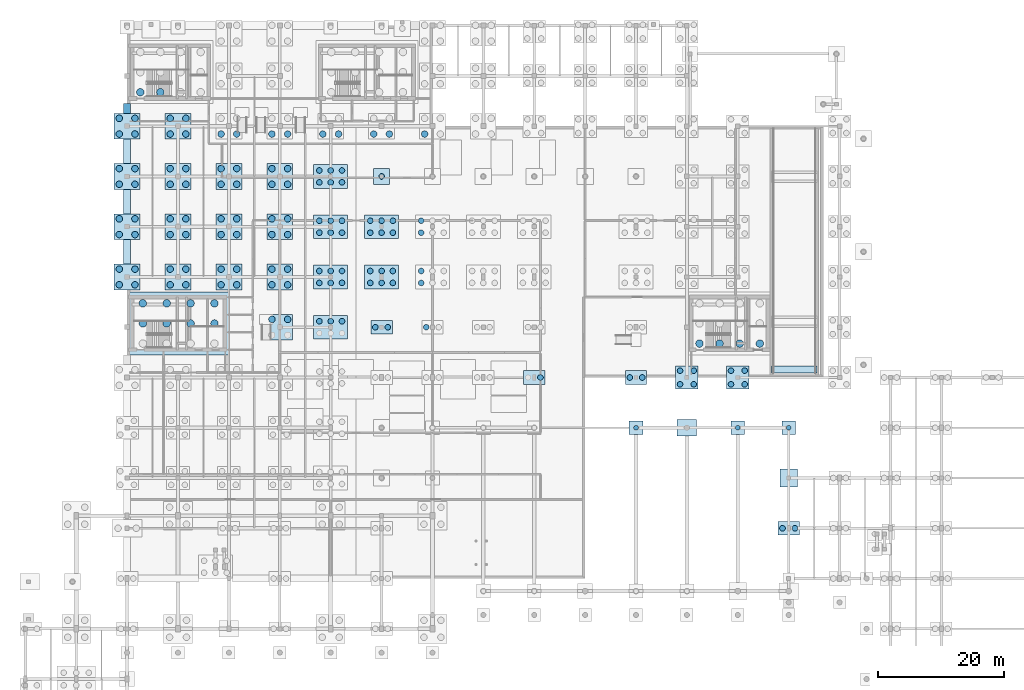
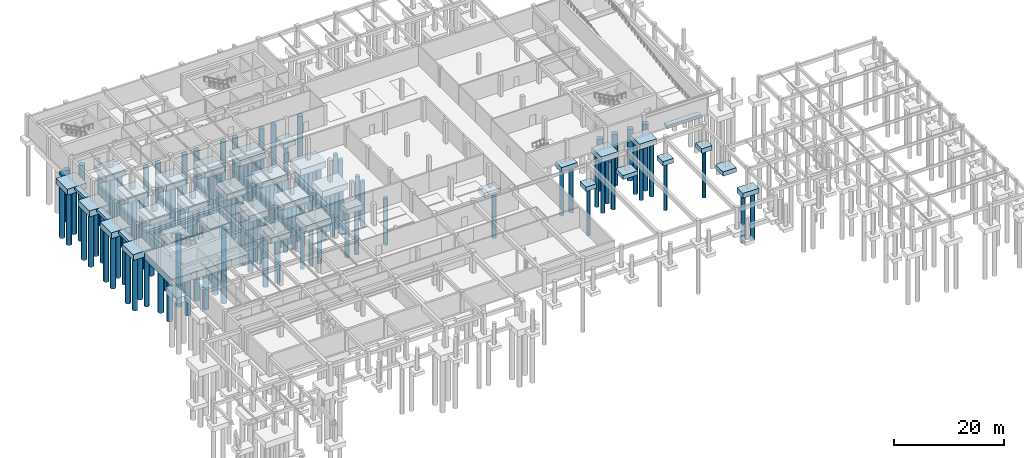
# One storey, part 3 of 25: 138 piles, 39 footings.
"""IFC4 building model written with IfcOpenShell, lengths in metres."""

from ifc_helpers import new_model, si_unit, direction, frame, origin, origin_2d, place, context, subcontext, project, spatial, polyline, rectangle, circle, outline, extrude, material, material_profile, profile_set, type_object, element, save


model = new_model("IFC4")

# Units and contexts
model_context = context("Model", 3, precision=1e-05, world=origin(), true_north=direction((0.0, 1.0)))
body_context = subcontext(model_context, "Body", "Model", "MODEL_VIEW")
ifc_project = project(units=[si_unit("LENGTHUNIT", "METRE"), si_unit("AREAUNIT", "SQUARE_METRE"), si_unit("VOLUMEUNIT", "CUBIC_METRE"), si_unit("PLANEANGLEUNIT", "RADIAN"), si_unit("MASSUNIT", "GRAM", prefix="KILO")], contexts=[model_context])

# Site, building, storey
site_placement = place(None, origin())
site = spatial("IfcSite", under=ifc_project, at=site_placement, CompositionType="ELEMENT")
building_placement = place(site_placement, origin())
building = spatial("IfcBuilding", under=site, at=building_placement, Name="Tarnveldt Square Police Headquarters", CompositionType="ELEMENT")
storey_placement = place(building_placement, frame((0.0, 0.0, -4.800048828125)))
storey = spatial("IfcBuildingStorey", under=building, at=storey_placement, Name="B1", CompositionType="ELEMENT", Elevation=-4.800048828125)

# Footings
ifc_material_1 = material(Name="Concrete 45 MPa", Category="concrete")
footing_type_1 = type_object("IfcFootingType", Name="CAP-PC1", PredefinedType="PILE_CAP", material=ifc_material_1)
for number, where, z_axis, x_axis, name in (
    (1, (97.199951171875, 48.0, -1.0), (0.0, 0.0, 1.0), (1.0, 0.0, 0.0), "Caisson Pile Cap 107"),
    (2, (113.39990234375, 48.0, -1.0), (0.0, 0.0, 1.0), (1.0, 0.0, 0.0), "Caisson Pile Cap 124"),
    (3, (121.5, 48.0, -1.0), (0.0, 0.0, 1.0), (1.0, 0.0, 0.0), "Caisson Pile Cap 131"),
):
    element("IfcFooting", number, at=place(storey_placement, frame(where, z_axis=z_axis, x_axis=x_axis)), inside=storey, type_object=footing_type_1, Name=name, PredefinedType="PILE_CAP", context=body_context, shape_type="SweptSolid", body=[
        extrude(rectangle(XDim=2.199951171875, YDim=2.199951171875, at=origin_2d()), origin(), (0.0, 0.0, 1.0), 1.0),
    ])
footing_type_2 = type_object("IfcFootingType", Name="CAP-PC11", PredefinedType="PILE_CAP", material=ifc_material_1)
footing_1_placement = place(storey_placement, frame((24.39990234375, 64.60009765625, -1.8701171875), z_axis=(0.0, 0.0, 1.0), x_axis=(1.0, 0.0, 0.0)))
element("IfcFooting", 4, at=footing_1_placement, inside=storey, type_object=footing_type_2, Name="Core K1 South-West Command and Firefighting Core Mat Pile Cap", PredefinedType="PILE_CAP", context=body_context, shape_type="SweptSolid", body=[
    extrude(rectangle(XDim=16.199951171875, YDim=10.0, at=origin_2d()), origin(), (0.0, 0.0, 1.0), 1.550048828125),
])
footing_type_3 = type_object("IfcFootingType", Name="CAP-PC2", PredefinedType="PILE_CAP", material=ifc_material_1)
for number, where, z_axis, x_axis, name in (
    (5, (56.699951171875, 64.0, -1.419921875), (0.0, 0.0, 1.0), (1.0, 0.0, 0.0), "Caisson Pile Cap 65"),
    (6, (81.0, 56.0, -1.419921875), (0.0, 0.0, 1.0), (1.0, 0.0, 0.0), "Caisson Pile Cap 94"),
    (7, (97.199951171875, 56.0, -1.419921875), (0.0, 0.0, 1.0), (1.0, 0.0, 0.0), "Caisson Pile Cap 108"),
    (8, (121.5, 32.0, -1.10009765625), (0.0, 0.0, 1.0), (1.0, 0.0, 0.0), "Caisson Pile Cap 130"),
):
    element("IfcFooting", number, at=place(storey_placement, frame(where, z_axis=z_axis, x_axis=x_axis)), inside=storey, type_object=footing_type_3, Name=name, PredefinedType="PILE_CAP", context=body_context, shape_type="SweptSolid", body=[
        extrude(rectangle(XDim=3.39990234375, YDim=2.199951171875, at=origin_2d()), origin(), (0.0, 0.0, 1.0), 1.10009765625),
    ])
footing_type_4 = type_object("IfcFootingType", Name="CAP-PC3", PredefinedType="PILE_CAP", material=ifc_material_1)
for number, where, z_axis, x_axis, name in (
    (9, (105.300048828125, 56.0, -1.52001953125), (0.0, 0.0, 1.0), (1.0, 0.0, 0.0), "Caisson Pile Cap 117"),
    (10, (113.39990234375, 56.0, -1.52001953125), (0.0, 0.0, 1.0), (1.0, 0.0, 0.0), "Caisson Pile Cap 125"),
):
    element("IfcFooting", number, at=place(storey_placement, frame(where, z_axis=z_axis, x_axis=x_axis)), inside=storey, type_object=footing_type_4, Name=name, PredefinedType="PILE_CAP", context=body_context, shape_type="SweptSolid", body=[
        extrude(rectangle(XDim=3.60009765625, YDim=3.60009765625, at=origin_2d()), origin(), (0.0, 0.0, 1.0), 1.199951171875),
    ])
footing_type_5 = type_object("IfcFootingType", Name="CAP-PC4", PredefinedType="PILE_CAP", material=ifc_material_1)
for number, where, z_axis, x_axis, name in (
    (11, (16.199951171875, 72.0, -1.6201171875), (0.0, 0.0, 1.0), (1.0, 0.0, 0.0), "Caisson Pile Cap 13"),
    (12, (16.199951171875, 80.0, -1.6201171875), (0.0, 0.0, 1.0), (1.0, 0.0, 0.0), "Caisson Pile Cap 14"),
    (13, (16.199951171875, 88.0, -1.6201171875), (0.0, 0.0, 1.0), (1.0, 0.0, 0.0), "Caisson Pile Cap 15"),
    (14, (16.199951171875, 96.0, -1.6201171875), (0.0, 0.0, 1.0), (1.0, 0.0, 0.0), "Caisson Pile Cap 16"),
    (15, (24.300048828125, 72.0, -1.6201171875), (0.0, 0.0, 1.0), (1.0, 0.0, 0.0), "Caisson Pile Cap 21"),
    (16, (24.300048828125, 80.0, -1.6201171875), (0.0, 0.0, 1.0), (1.0, 0.0, 0.0), "Caisson Pile Cap 22"),
    (17, (24.300048828125, 88.0, -1.6201171875), (0.0, 0.0, 1.0), (1.0, 0.0, 0.0), "Caisson Pile Cap 23"),
    (18, (24.300048828125, 96.0, -1.6201171875), (0.0, 0.0, 1.0), (1.0, 0.0, 0.0), "Caisson Pile Cap 24"),
    (19, (32.39990234375, 72.0, -1.6201171875), (0.0, 0.0, 1.0), (1.0, 0.0, 0.0), "Caisson Pile Cap 31"),
    (20, (32.39990234375, 80.0, -1.6201171875), (0.0, 0.0, 1.0), (1.0, 0.0, 0.0), "Caisson Pile Cap 32"),
    (21, (32.39990234375, 88.0, -1.6201171875), (0.0, 0.0, 1.0), (1.0, 0.0, 0.0), "Caisson Pile Cap 33"),
    (22, (40.5, 64.0, -1.6201171875), (0.0, 0.0, 1.0), (1.0, 0.0, 0.0), "Caisson Pile Cap 43"),
    (23, (40.5, 72.0, -1.6201171875), (0.0, 0.0, 1.0), (1.0, 0.0, 0.0), "Caisson Pile Cap 44"),
    (24, (40.5, 80.0, -1.6201171875), (0.0, 0.0, 1.0), (1.0, 0.0, 0.0), "Caisson Pile Cap 45"),
    (25, (40.5, 88.0, -1.6201171875), (0.0, 0.0, 1.0), (1.0, 0.0, 0.0), "Caisson Pile Cap 46"),
):
    element("IfcFooting", number, at=place(storey_placement, frame(where, z_axis=z_axis, x_axis=x_axis)), inside=storey, type_object=footing_type_5, Name=name, PredefinedType="PILE_CAP", context=body_context, shape_type="SweptSolid", body=[
        extrude(rectangle(XDim=4.10009765625, YDim=4.10009765625, at=origin_2d()), origin(), (0.0, 0.0, 1.0), 1.300048828125),
    ])
footing_type_6 = type_object("IfcFootingType", Name="CAP-PC6", PredefinedType="PILE_CAP", material=ifc_material_1)
for number, where, z_axis, x_axis, name in (
    (26, (48.60009765625, 64.0, -1.669921875), (0.0, 0.0, 1.0), (1.0, 0.0, 0.0), "Caisson Pile Cap 53"),
    (27, (48.60009765625, 72.0, -1.669921875), (0.0, 0.0, 1.0), (1.0, 0.0, 0.0), "Caisson Pile Cap 54"),
    (28, (48.60009765625, 80.0, -1.669921875), (0.0, 0.0, 1.0), (1.0, 0.0, 0.0), "Caisson Pile Cap 55"),
    (29, (48.60009765625, 88.0, -1.669921875), (0.0, 0.0, 1.0), (1.0, 0.0, 0.0), "Caisson Pile Cap 56"),
    (30, (56.699951171875, 72.0, -1.669921875), (0.0, 0.0, 1.0), (1.0, 0.0, 0.0), "Caisson Pile Cap 66"),
    (31, (56.699951171875, 80.0, -1.669921875), (0.0, 0.0, 1.0), (1.0, 0.0, 0.0), "Caisson Pile Cap 67"),
):
    element("IfcFooting", number, at=place(storey_placement, frame(where, z_axis=z_axis, x_axis=x_axis)), inside=storey, type_object=footing_type_6, Name=name, PredefinedType="PILE_CAP", context=body_context, shape_type="SweptSolid", body=[
        extrude(rectangle(XDim=5.39990234375, YDim=3.800048828125, at=origin_2d()), origin(), (0.0, 0.0, 1.0), 1.35009765625),
    ])
footing_type_7 = type_object("IfcFootingType", Name="CAP-PC9", PredefinedType="PILE_CAP", material=ifc_material_1)
footing_2_placement = place(storey_placement, frame((56.699951171875, 88.0, -1.3701171875), z_axis=(0.0, 0.0, 1.0), x_axis=(1.0, 0.0, 0.0)))
element("IfcFooting", 32, at=footing_2_placement, inside=storey, type_object=footing_type_7, Name="Caisson Pile Cap 68", PredefinedType="PILE_CAP", context=body_context, shape_type="SweptSolid", body=[
    extrude(rectangle(XDim=2.60009765625, YDim=2.60009765625, at=origin_2d()), origin(), (0.0, 0.0, 1.0), 1.050048828125),
])
ifc_material_2 = material(Name="Concrete 40 MPa", Category="concrete")
footing_type_8 = type_object("IfcFootingType", Name="PAD-PF2", PredefinedType="PAD_FOOTING", material=ifc_material_2)
footing_3_placement = place(storey_placement, frame((121.5, 40.0, -0.94970703125), z_axis=(0.0, 0.0, 1.0), x_axis=(1.0, 0.0, 0.0)))
element("IfcFooting", 33, at=footing_3_placement, inside=storey, type_object=footing_type_8, Name="Spread Pad Footing 14", PredefinedType="PAD_FOOTING", context=body_context, shape_type="SweptSolid", body=[
    extrude(rectangle(XDim=2.800048828125, YDim=2.800048828125, at=origin_2d()), origin(), (0.0, 0.0, 1.0), 0.949951171875),
])
footing_type_9 = type_object("IfcFootingType", Name="PAD-PF3", PredefinedType="PAD_FOOTING", material=ifc_material_2)
footing_4_placement = place(storey_placement, frame((105.300048828125, 48.0, -0.89990234375), z_axis=(0.0, 0.0, 1.0), x_axis=(1.0, 0.0, 0.0)))
element("IfcFooting", 34, at=footing_4_placement, inside=storey, type_object=footing_type_9, Name="Spread Pad Footing 9", PredefinedType="PAD_FOOTING", context=body_context, shape_type="SweptSolid", body=[
    extrude(rectangle(XDim=3.10009765625, YDim=2.60009765625, at=origin_2d()), origin(), (0.0, 0.0, 1.0), 0.89990234375),
])

# Piles
ifc_material_profile_1 = material_profile(ifc_material_1, circle(Radius=0.375, at=origin_2d()), Name="CAISSON-D750")
ifc_profile_set_1 = profile_set([ifc_material_profile_1], Name="Concrete 45 MPa")
pile_type_1 = type_object("IfcPileType", Name="PILE-CA1", PredefinedType="BORED", material=ifc_profile_set_1)
for number, where, z_axis, x_axis, name in (
    (35, (97.199951171875, 48.0, -0.89990234375), (0.0, 0.0, -1.0), (1.0, 0.0, 0.0), "Bored Caisson C107.1"),
    (36, (113.39990234375, 48.0, -0.89990234375), (0.0, 0.0, -1.0), (1.0, 0.0, 0.0), "Bored Caisson C124.1"),
    (37, (121.5, 48.0, -0.89990234375), (0.0, 0.0, -1.0), (1.0, 0.0, 0.0), "Bored Caisson C131.1"),
):
    element("IfcPile", number, at=place(storey_placement, frame(where, z_axis=z_axis, x_axis=x_axis)), inside=storey, type_object=pile_type_1, Name=name, PredefinedType="BORED", context=body_context, shape_type="SweptSolid", body=[
        extrude(circle(Radius=0.375, at=origin_2d()), origin(), (0.0, 0.0, 1.0), 10.800048828125),
    ])
ifc_material_profile_2 = material_profile(ifc_material_1, circle(Radius=0.449951171875, at=origin_2d()), Name="CAISSON-D900")
ifc_profile_set_2 = profile_set([ifc_material_profile_2], Name="Concrete 45 MPa")
pile_type_2 = type_object("IfcPileType", Name="PILE-CA2", PredefinedType="BORED", material=ifc_profile_set_2)
for number, where, z_axis, x_axis, name in (
    (38, (46.800048828125, 64.949951171875, -1.570068359375), (0.0, 0.0, -1.0), (1.0, 0.0, 0.0), "Bored Caisson C53.4"),
    (39, (48.60009765625, 64.949951171875, -1.570068359375), (0.0, 0.0, -1.0), (1.0, 0.0, 0.0), "Bored Caisson C53.5"),
    (40, (50.39990234375, 64.949951171875, -1.570068359375), (0.0, 0.0, -1.0), (1.0, 0.0, 0.0), "Bored Caisson C53.6"),
    (41, (46.800048828125, 71.050048828125, -1.570068359375), (0.0, 0.0, -1.0), (1.0, 0.0, 0.0), "Bored Caisson C54.1"),
    (42, (48.60009765625, 71.050048828125, -1.570068359375), (0.0, 0.0, -1.0), (1.0, 0.0, 0.0), "Bored Caisson C54.2"),
    (43, (50.39990234375, 71.050048828125, -1.570068359375), (0.0, 0.0, -1.0), (1.0, 0.0, 0.0), "Bored Caisson C54.3"),
    (44, (46.800048828125, 72.949951171875, -1.570068359375), (0.0, 0.0, -1.0), (1.0, 0.0, 0.0), "Bored Caisson C54.4"),
    (45, (48.60009765625, 72.949951171875, -1.570068359375), (0.0, 0.0, -1.0), (1.0, 0.0, 0.0), "Bored Caisson C54.5"),
    (46, (50.39990234375, 72.949951171875, -1.570068359375), (0.0, 0.0, -1.0), (1.0, 0.0, 0.0), "Bored Caisson C54.6"),
    (47, (46.800048828125, 79.050048828125, -1.570068359375), (0.0, 0.0, -1.0), (1.0, 0.0, 0.0), "Bored Caisson C55.1"),
    (48, (48.60009765625, 79.050048828125, -1.570068359375), (0.0, 0.0, -1.0), (1.0, 0.0, 0.0), "Bored Caisson C55.2"),
    (49, (50.39990234375, 79.050048828125, -1.570068359375), (0.0, 0.0, -1.0), (1.0, 0.0, 0.0), "Bored Caisson C55.3"),
    (50, (46.800048828125, 80.949951171875, -1.570068359375), (0.0, 0.0, -1.0), (1.0, 0.0, 0.0), "Bored Caisson C55.4"),
    (51, (48.60009765625, 80.949951171875, -1.570068359375), (0.0, 0.0, -1.0), (1.0, 0.0, 0.0), "Bored Caisson C55.5"),
    (52, (50.39990234375, 80.949951171875, -1.570068359375), (0.0, 0.0, -1.0), (1.0, 0.0, 0.0), "Bored Caisson C55.6"),
    (53, (46.800048828125, 87.050048828125, -1.570068359375), (0.0, 0.0, -1.0), (1.0, 0.0, 0.0), "Bored Caisson C56.1"),
    (54, (48.60009765625, 87.050048828125, -1.570068359375), (0.0, 0.0, -1.0), (1.0, 0.0, 0.0), "Bored Caisson C56.2"),
    (55, (50.39990234375, 87.050048828125, -1.570068359375), (0.0, 0.0, -1.0), (1.0, 0.0, 0.0), "Bored Caisson C56.3"),
    (56, (46.800048828125, 88.949951171875, -1.570068359375), (0.0, 0.0, -1.0), (1.0, 0.0, 0.0), "Bored Caisson C56.4"),
    (57, (48.60009765625, 88.949951171875, -1.570068359375), (0.0, 0.0, -1.0), (1.0, 0.0, 0.0), "Bored Caisson C56.5"),
    (58, (50.39990234375, 88.949951171875, -1.570068359375), (0.0, 0.0, -1.0), (1.0, 0.0, 0.0), "Bored Caisson C56.6"),
):
    element("IfcPile", number, at=place(storey_placement, frame(where, z_axis=z_axis, x_axis=x_axis)), inside=storey, type_object=pile_type_2, Name=name, PredefinedType="BORED", context=body_context, shape_type="SweptSolid", body=[
        extrude(circle(Radius=0.449951171875, at=origin_2d()), origin(), (0.0, 0.0, 1.0), 10.1298828125),
    ])
for number, where, z_axis, x_axis, name in (
    (59, (55.7099609375, 64.0, -1.320068359375), (0.0, 0.0, -1.0), (1.0, 0.0, 0.0), "Bored Caisson C65.1"),
    (60, (57.68994140625, 64.0, -1.320068359375), (0.0, 0.0, -1.0), (1.0, 0.0, 0.0), "Bored Caisson C65.2"),
):
    element("IfcPile", number, at=place(storey_placement, frame(where, z_axis=z_axis, x_axis=x_axis)), inside=storey, type_object=pile_type_2, Name=name, PredefinedType="BORED", context=body_context, shape_type="SweptSolid", body=[
        extrude(circle(Radius=0.449951171875, at=origin_2d()), origin(), (0.0, 0.0, 1.0), 10.3798828125),
    ])
for number, where, z_axis, x_axis, name in (
    (61, (54.89990234375, 71.050048828125, -1.570068359375), (0.0, 0.0, -1.0), (1.0, 0.0, 0.0), "Bored Caisson C66.1"),
    (62, (56.699951171875, 71.050048828125, -1.570068359375), (0.0, 0.0, -1.0), (1.0, 0.0, 0.0), "Bored Caisson C66.2"),
    (63, (58.5, 71.050048828125, -1.570068359375), (0.0, 0.0, -1.0), (1.0, 0.0, 0.0), "Bored Caisson C66.3"),
    (64, (54.89990234375, 72.949951171875, -1.570068359375), (0.0, 0.0, -1.0), (1.0, 0.0, 0.0), "Bored Caisson C66.4"),
    (65, (56.699951171875, 72.949951171875, -1.570068359375), (0.0, 0.0, -1.0), (1.0, 0.0, 0.0), "Bored Caisson C66.5"),
    (66, (58.5, 72.949951171875, -1.570068359375), (0.0, 0.0, -1.0), (1.0, 0.0, 0.0), "Bored Caisson C66.6"),
    (67, (54.89990234375, 79.050048828125, -1.570068359375), (0.0, 0.0, -1.0), (1.0, 0.0, 0.0), "Bored Caisson C67.1"),
    (68, (56.699951171875, 79.050048828125, -1.570068359375), (0.0, 0.0, -1.0), (1.0, 0.0, 0.0), "Bored Caisson C67.2"),
    (69, (58.5, 79.050048828125, -1.570068359375), (0.0, 0.0, -1.0), (1.0, 0.0, 0.0), "Bored Caisson C67.3"),
    (70, (54.89990234375, 80.949951171875, -1.570068359375), (0.0, 0.0, -1.0), (1.0, 0.0, 0.0), "Bored Caisson C67.4"),
    (71, (56.699951171875, 80.949951171875, -1.570068359375), (0.0, 0.0, -1.0), (1.0, 0.0, 0.0), "Bored Caisson C67.5"),
    (72, (58.5, 80.949951171875, -1.570068359375), (0.0, 0.0, -1.0), (1.0, 0.0, 0.0), "Bored Caisson C67.6"),
):
    element("IfcPile", number, at=place(storey_placement, frame(where, z_axis=z_axis, x_axis=x_axis)), inside=storey, type_object=pile_type_2, Name=name, PredefinedType="BORED", context=body_context, shape_type="SweptSolid", body=[
        extrude(circle(Radius=0.449951171875, at=origin_2d()), origin(), (0.0, 0.0, 1.0), 10.1298828125),
    ])
pile_1_placement = place(storey_placement, frame((56.699951171875, 88.0, -1.27001953125), z_axis=(0.0, 0.0, -1.0), x_axis=(1.0, 0.0, 0.0)))
element("IfcPile", 73, at=pile_1_placement, inside=storey, type_object=pile_type_2, Name="Bored Caisson C68.1", PredefinedType="BORED", context=body_context, shape_type="SweptSolid", body=[
    extrude(circle(Radius=0.449951171875, at=origin_2d()), origin(), (0.0, 0.0, 1.0), 10.429931640625),
])
pile_2_placement = place(storey_placement, frame((63.81005859375, 64.0, -1.320068359375), z_axis=(0.0, 0.0, -1.0), x_axis=(1.0, 0.0, 0.0)))
element("IfcPile", 74, at=pile_2_placement, inside=storey, type_object=pile_type_2, Name="Bored Caisson C75.1", PredefinedType="BORED", context=body_context, shape_type="SweptSolid", body=[
    extrude(circle(Radius=0.449951171875, at=origin_2d()), origin(), (0.0, 0.0, 1.0), 10.3798828125),
])
for number, where, z_axis, x_axis, name in (
    (75, (63.0, 71.050048828125, -1.570068359375), (0.0, 0.0, -1.0), (1.0, 0.0, 0.0), "Bored Caisson C76.1"),
    (76, (63.0, 72.949951171875, -1.570068359375), (0.0, 0.0, -1.0), (1.0, 0.0, 0.0), "Bored Caisson C76.4"),
    (77, (63.0, 79.050048828125, -1.570068359375), (0.0, 0.0, -1.0), (1.0, 0.0, 0.0), "Bored Caisson C77.1"),
    (78, (63.0, 80.949951171875, -1.570068359375), (0.0, 0.0, -1.0), (1.0, 0.0, 0.0), "Bored Caisson C77.4"),
):
    element("IfcPile", number, at=place(storey_placement, frame(where, z_axis=z_axis, x_axis=x_axis)), inside=storey, type_object=pile_type_2, Name=name, PredefinedType="BORED", context=body_context, shape_type="SweptSolid", body=[
        extrude(circle(Radius=0.449951171875, at=origin_2d()), origin(), (0.0, 0.0, 1.0), 10.1298828125),
    ])
for number, where, z_axis, x_axis, name in (
    (79, (81.989990234375, 56.0, -1.320068359375), (0.0, 0.0, -1.0), (1.0, 0.0, 0.0), "Bored Caisson C94.2"),
    (80, (96.2099609375, 56.0, -1.320068359375), (0.0, 0.0, -1.0), (1.0, 0.0, 0.0), "Bored Caisson C108.1"),
    (81, (98.18994140625, 56.0, -1.320068359375), (0.0, 0.0, -1.0), (1.0, 0.0, 0.0), "Bored Caisson C108.2"),
):
    element("IfcPile", number, at=place(storey_placement, frame(where, z_axis=z_axis, x_axis=x_axis)), inside=storey, type_object=pile_type_2, Name=name, PredefinedType="BORED", context=body_context, shape_type="SweptSolid", body=[
        extrude(circle(Radius=0.449951171875, at=origin_2d()), origin(), (0.0, 0.0, 1.0), 10.3798828125),
    ])
for number, where, z_axis, x_axis, name in (
    (82, (104.2099609375, 54.909912109375, -1.419921875), (0.0, 0.0, -1.0), (1.0, 0.0, 0.0), "Bored Caisson C117.1"),
    (83, (104.2099609375, 57.090087890625, -1.419921875), (0.0, 0.0, -1.0), (1.0, 0.0, 0.0), "Bored Caisson C117.2"),
    (84, (106.389892578125, 54.909912109375, -1.419921875), (0.0, 0.0, -1.0), (1.0, 0.0, 0.0), "Bored Caisson C117.3"),
    (85, (106.389892578125, 57.090087890625, -1.419921875), (0.0, 0.0, -1.0), (1.0, 0.0, 0.0), "Bored Caisson C117.4"),
    (86, (112.31005859375, 54.909912109375, -1.419921875), (0.0, 0.0, -1.0), (1.0, 0.0, 0.0), "Bored Caisson C125.1"),
    (87, (112.31005859375, 57.090087890625, -1.419921875), (0.0, 0.0, -1.0), (1.0, 0.0, 0.0), "Bored Caisson C125.2"),
    (88, (114.489990234375, 54.909912109375, -1.419921875), (0.0, 0.0, -1.0), (1.0, 0.0, 0.0), "Bored Caisson C125.3"),
    (89, (114.489990234375, 57.090087890625, -1.419921875), (0.0, 0.0, -1.0), (1.0, 0.0, 0.0), "Bored Caisson C125.4"),
):
    element("IfcPile", number, at=place(storey_placement, frame(where, z_axis=z_axis, x_axis=x_axis)), inside=storey, type_object=pile_type_2, Name=name, PredefinedType="BORED", context=body_context, shape_type="SweptSolid", body=[
        extrude(circle(Radius=0.449951171875, at=origin_2d()), origin(), (0.0, 0.0, 1.0), 11.780029296875),
    ])
for number, where, z_axis, x_axis, name in (
    (90, (120.510009765625, 32.0, -1.0), (0.0, 0.0, -1.0), (1.0, 0.0, 0.0), "Bored Caisson C130.1"),
    (91, (122.489990234375, 32.0, -1.0), (0.0, 0.0, -1.0), (1.0, 0.0, 0.0), "Bored Caisson C130.2"),
):
    element("IfcPile", number, at=place(storey_placement, frame(where, z_axis=z_axis, x_axis=x_axis)), inside=storey, type_object=pile_type_2, Name=name, PredefinedType="BORED", context=body_context, shape_type="SweptSolid", body=[
        extrude(circle(Radius=0.449951171875, at=origin_2d()), origin(), (0.0, 0.0, 1.0), 10.699951171875),
    ])
ifc_material_profile_3 = material_profile(ifc_material_1, circle(Radius=0.52490234375, at=origin_2d()), Name="CAISSON-D1050")
ifc_profile_set_3 = profile_set([ifc_material_profile_3], Name="Concrete 45 MPa")
pile_type_3 = type_object("IfcPileType", Name="PILE-CA3", PredefinedType="BORED", material=ifc_profile_set_3)
for number, where, z_axis, x_axis, name in (
    (92, (14.949951171875, 70.75, -1.52001953125), (0.0, 0.0, -1.0), (1.0, 0.0, 0.0), "Bored Caisson C13.1"),
    (93, (14.949951171875, 73.25, -1.52001953125), (0.0, 0.0, -1.0), (1.0, 0.0, 0.0), "Bored Caisson C13.2"),
    (94, (17.449951171875, 70.75, -1.52001953125), (0.0, 0.0, -1.0), (1.0, 0.0, 0.0), "Bored Caisson C13.3"),
    (95, (17.449951171875, 73.25, -1.52001953125), (0.0, 0.0, -1.0), (1.0, 0.0, 0.0), "Bored Caisson C13.4"),
    (96, (14.949951171875, 78.75, -1.52001953125), (0.0, 0.0, -1.0), (1.0, 0.0, 0.0), "Bored Caisson C14.1"),
    (97, (14.949951171875, 81.25, -1.52001953125), (0.0, 0.0, -1.0), (1.0, 0.0, 0.0), "Bored Caisson C14.2"),
    (98, (17.449951171875, 78.75, -1.52001953125), (0.0, 0.0, -1.0), (1.0, 0.0, 0.0), "Bored Caisson C14.3"),
    (99, (17.449951171875, 81.25, -1.52001953125), (0.0, 0.0, -1.0), (1.0, 0.0, 0.0), "Bored Caisson C14.4"),
    (100, (14.949951171875, 86.75, -1.52001953125), (0.0, 0.0, -1.0), (1.0, 0.0, 0.0), "Bored Caisson C15.1"),
    (101, (14.949951171875, 89.25, -1.52001953125), (0.0, 0.0, -1.0), (1.0, 0.0, 0.0), "Bored Caisson C15.2"),
    (102, (17.449951171875, 86.75, -1.52001953125), (0.0, 0.0, -1.0), (1.0, 0.0, 0.0), "Bored Caisson C15.3"),
    (103, (17.449951171875, 89.25, -1.52001953125), (0.0, 0.0, -1.0), (1.0, 0.0, 0.0), "Bored Caisson C15.4"),
    (104, (14.949951171875, 94.75, -1.52001953125), (0.0, 0.0, -1.0), (1.0, 0.0, 0.0), "Bored Caisson C16.1"),
    (105, (14.949951171875, 97.25, -1.52001953125), (0.0, 0.0, -1.0), (1.0, 0.0, 0.0), "Bored Caisson C16.2"),
    (106, (17.449951171875, 94.75, -1.52001953125), (0.0, 0.0, -1.0), (1.0, 0.0, 0.0), "Bored Caisson C16.3"),
    (107, (17.449951171875, 97.25, -1.52001953125), (0.0, 0.0, -1.0), (1.0, 0.0, 0.0), "Bored Caisson C16.4"),
    (108, (23.050048828125, 70.75, -1.52001953125), (0.0, 0.0, -1.0), (1.0, 0.0, 0.0), "Bored Caisson C21.1"),
    (109, (23.050048828125, 73.25, -1.52001953125), (0.0, 0.0, -1.0), (1.0, 0.0, 0.0), "Bored Caisson C21.2"),
    (110, (25.550048828125, 70.75, -1.52001953125), (0.0, 0.0, -1.0), (1.0, 0.0, 0.0), "Bored Caisson C21.3"),
    (111, (25.550048828125, 73.25, -1.52001953125), (0.0, 0.0, -1.0), (1.0, 0.0, 0.0), "Bored Caisson C21.4"),
    (112, (23.050048828125, 78.75, -1.52001953125), (0.0, 0.0, -1.0), (1.0, 0.0, 0.0), "Bored Caisson C22.1"),
    (113, (23.050048828125, 81.25, -1.52001953125), (0.0, 0.0, -1.0), (1.0, 0.0, 0.0), "Bored Caisson C22.2"),
    (114, (25.550048828125, 78.75, -1.52001953125), (0.0, 0.0, -1.0), (1.0, 0.0, 0.0), "Bored Caisson C22.3"),
    (115, (25.550048828125, 81.25, -1.52001953125), (0.0, 0.0, -1.0), (1.0, 0.0, 0.0), "Bored Caisson C22.4"),
    (116, (23.050048828125, 86.75, -1.52001953125), (0.0, 0.0, -1.0), (1.0, 0.0, 0.0), "Bored Caisson C23.1"),
    (117, (23.050048828125, 89.25, -1.52001953125), (0.0, 0.0, -1.0), (1.0, 0.0, 0.0), "Bored Caisson C23.2"),
    (118, (25.550048828125, 86.75, -1.52001953125), (0.0, 0.0, -1.0), (1.0, 0.0, 0.0), "Bored Caisson C23.3"),
    (119, (25.550048828125, 89.25, -1.52001953125), (0.0, 0.0, -1.0), (1.0, 0.0, 0.0), "Bored Caisson C23.4"),
    (120, (23.050048828125, 94.75, -1.52001953125), (0.0, 0.0, -1.0), (1.0, 0.0, 0.0), "Bored Caisson C24.1"),
    (121, (23.050048828125, 97.25, -1.52001953125), (0.0, 0.0, -1.0), (1.0, 0.0, 0.0), "Bored Caisson C24.2"),
    (122, (25.550048828125, 94.75, -1.52001953125), (0.0, 0.0, -1.0), (1.0, 0.0, 0.0), "Bored Caisson C24.3"),
    (123, (25.550048828125, 97.25, -1.52001953125), (0.0, 0.0, -1.0), (1.0, 0.0, 0.0), "Bored Caisson C24.4"),
    (124, (31.14990234375, 70.75, -1.52001953125), (0.0, 0.0, -1.0), (1.0, 0.0, 0.0), "Bored Caisson C31.1"),
    (125, (31.14990234375, 73.25, -1.52001953125), (0.0, 0.0, -1.0), (1.0, 0.0, 0.0), "Bored Caisson C31.2"),
    (126, (33.64990234375, 70.75, -1.52001953125), (0.0, 0.0, -1.0), (1.0, 0.0, 0.0), "Bored Caisson C31.3"),
    (127, (33.64990234375, 73.25, -1.52001953125), (0.0, 0.0, -1.0), (1.0, 0.0, 0.0), "Bored Caisson C31.4"),
    (128, (31.14990234375, 78.75, -1.52001953125), (0.0, 0.0, -1.0), (1.0, 0.0, 0.0), "Bored Caisson C32.1"),
    (129, (31.14990234375, 81.25, -1.52001953125), (0.0, 0.0, -1.0), (1.0, 0.0, 0.0), "Bored Caisson C32.2"),
    (130, (33.64990234375, 78.75, -1.52001953125), (0.0, 0.0, -1.0), (1.0, 0.0, 0.0), "Bored Caisson C32.3"),
    (131, (33.64990234375, 81.25, -1.52001953125), (0.0, 0.0, -1.0), (1.0, 0.0, 0.0), "Bored Caisson C32.4"),
    (132, (31.14990234375, 86.75, -1.52001953125), (0.0, 0.0, -1.0), (1.0, 0.0, 0.0), "Bored Caisson C33.1"),
    (133, (31.14990234375, 89.25, -1.52001953125), (0.0, 0.0, -1.0), (1.0, 0.0, 0.0), "Bored Caisson C33.2"),
    (134, (33.64990234375, 86.75, -1.52001953125), (0.0, 0.0, -1.0), (1.0, 0.0, 0.0), "Bored Caisson C33.3"),
    (135, (33.64990234375, 89.25, -1.52001953125), (0.0, 0.0, -1.0), (1.0, 0.0, 0.0), "Bored Caisson C33.4"),
    (136, (31.14990234375, 94.75, -1.52001953125), (0.0, 0.0, -1.0), (1.0, 0.0, 0.0), "Bored Caisson C34.1"),
    (137, (33.64990234375, 94.75, -1.52001953125), (0.0, 0.0, -1.0), (1.0, 0.0, 0.0), "Bored Caisson C34.3"),
    (138, (39.25, 65.25, -1.52001953125), (0.0, 0.0, -1.0), (1.0, 0.0, 0.0), "Bored Caisson C43.2"),
    (139, (41.75, 65.25, -1.52001953125), (0.0, 0.0, -1.0), (1.0, 0.0, 0.0), "Bored Caisson C43.4"),
    (140, (39.25, 70.75, -1.52001953125), (0.0, 0.0, -1.0), (1.0, 0.0, 0.0), "Bored Caisson C44.1"),
    (141, (39.25, 73.25, -1.52001953125), (0.0, 0.0, -1.0), (1.0, 0.0, 0.0), "Bored Caisson C44.2"),
    (142, (41.75, 70.75, -1.52001953125), (0.0, 0.0, -1.0), (1.0, 0.0, 0.0), "Bored Caisson C44.3"),
    (143, (41.75, 73.25, -1.52001953125), (0.0, 0.0, -1.0), (1.0, 0.0, 0.0), "Bored Caisson C44.4"),
    (144, (39.25, 78.75, -1.52001953125), (0.0, 0.0, -1.0), (1.0, 0.0, 0.0), "Bored Caisson C45.1"),
    (145, (39.25, 81.25, -1.52001953125), (0.0, 0.0, -1.0), (1.0, 0.0, 0.0), "Bored Caisson C45.2"),
    (146, (41.75, 78.75, -1.52001953125), (0.0, 0.0, -1.0), (1.0, 0.0, 0.0), "Bored Caisson C45.3"),
    (147, (41.75, 81.25, -1.52001953125), (0.0, 0.0, -1.0), (1.0, 0.0, 0.0), "Bored Caisson C45.4"),
    (148, (39.25, 86.75, -1.52001953125), (0.0, 0.0, -1.0), (1.0, 0.0, 0.0), "Bored Caisson C46.1"),
    (149, (39.25, 89.25, -1.52001953125), (0.0, 0.0, -1.0), (1.0, 0.0, 0.0), "Bored Caisson C46.2"),
    (150, (41.75, 86.75, -1.52001953125), (0.0, 0.0, -1.0), (1.0, 0.0, 0.0), "Bored Caisson C46.3"),
    (151, (41.75, 89.25, -1.52001953125), (0.0, 0.0, -1.0), (1.0, 0.0, 0.0), "Bored Caisson C46.4"),
    (152, (39.25, 94.75, -1.52001953125), (0.0, 0.0, -1.0), (1.0, 0.0, 0.0), "Bored Caisson C47.1"),
    (153, (41.75, 94.75, -1.52001953125), (0.0, 0.0, -1.0), (1.0, 0.0, 0.0), "Bored Caisson C47.3"),
    (154, (47.35009765625, 94.75, -1.52001953125), (0.0, 0.0, -1.0), (1.0, 0.0, 0.0), "Bored Caisson C57.1"),
    (155, (49.85009765625, 94.75, -1.52001953125), (0.0, 0.0, -1.0), (1.0, 0.0, 0.0), "Bored Caisson C57.3"),
    (156, (55.449951171875, 94.75, -1.52001953125), (0.0, 0.0, -1.0), (1.0, 0.0, 0.0), "Bored Caisson C69.1"),
    (157, (57.949951171875, 94.75, -1.52001953125), (0.0, 0.0, -1.0), (1.0, 0.0, 0.0), "Bored Caisson C69.3"),
    (158, (63.550048828125, 94.75, -1.52001953125), (0.0, 0.0, -1.0), (1.0, 0.0, 0.0), "Bored Caisson C79.1"),
):
    element("IfcPile", number, at=place(storey_placement, frame(where, z_axis=z_axis, x_axis=x_axis)), inside=storey, type_object=pile_type_3, Name=name, PredefinedType="BORED", context=body_context, shape_type="SweptSolid", body=[
        extrude(circle(Radius=0.52490234375, at=origin_2d()), origin(), (0.0, 0.0, 1.0), 11.679931640625),
    ])
ifc_material_profile_4 = material_profile(ifc_material_1, circle(Radius=0.60009765625, at=origin_2d()), Name="CAISSON-D1200")
ifc_profile_set_4 = profile_set([ifc_material_profile_4], Name="Concrete 45 MPa")
pile_type_4 = type_object("IfcPileType", Name="PILE-CA4", PredefinedType="BORED", material=ifc_profile_set_4)
for number, where, z_axis, x_axis, name in (
    (159, (18.699951171875, 64.60009765625, -1.77001953125), (0.0, 0.0, -1.0), (1.0, 0.0, 0.0), "K1 Rock-Socketed Caisson 2"),
    (160, (18.699951171875, 67.800048828125, -1.77001953125), (0.0, 0.0, -1.0), (1.0, 0.0, 0.0), "K1 Rock-Socketed Caisson 3"),
    (161, (22.5, 64.60009765625, -1.77001953125), (0.0, 0.0, -1.0), (1.0, 0.0, 0.0), "K1 Rock-Socketed Caisson 5"),
    (162, (22.5, 67.800048828125, -1.77001953125), (0.0, 0.0, -1.0), (1.0, 0.0, 0.0), "K1 Rock-Socketed Caisson 6"),
    (163, (26.300048828125, 64.60009765625, -1.77001953125), (0.0, 0.0, -1.0), (1.0, 0.0, 0.0), "K1 Rock-Socketed Caisson 8"),
    (164, (26.300048828125, 67.800048828125, -1.77001953125), (0.0, 0.0, -1.0), (1.0, 0.0, 0.0), "K1 Rock-Socketed Caisson 9"),
    (165, (30.10009765625, 64.60009765625, -1.77001953125), (0.0, 0.0, -1.0), (1.0, 0.0, 0.0), "K1 Rock-Socketed Caisson 11"),
    (166, (30.10009765625, 67.800048828125, -1.77001953125), (0.0, 0.0, -1.0), (1.0, 0.0, 0.0), "K1 Rock-Socketed Caisson 12"),
):
    element("IfcPile", number, at=place(storey_placement, frame(where, z_axis=z_axis, x_axis=x_axis)), inside=storey, type_object=pile_type_4, Name=name, PredefinedType="BORED", context=body_context, shape_type="SweptSolid", body=[
        extrude(circle(Radius=0.60009765625, at=origin_2d()), origin(), (0.0, 0.0, 1.0), 11.429931640625),
    ])
for number, where, z_axis, x_axis, name in (
    (167, (18.300048828125, 101.39990234375, -1.719970703125), (0.0, 0.0, -1.0), (1.0, 0.0, 0.0), "K2 Rock-Socketed Caisson 1"),
    (168, (21.5, 101.39990234375, -1.719970703125), (0.0, 0.0, -1.0), (1.0, 0.0, 0.0), "K2 Rock-Socketed Caisson 4"),
    (169, (107.300048828125, 61.39990234375, -1.719970703125), (0.0, 0.0, -1.0), (1.0, 0.0, 0.0), "K4 Rock-Socketed Caisson 1"),
    (170, (110.5, 61.39990234375, -1.719970703125), (0.0, 0.0, -1.0), (1.0, 0.0, 0.0), "K4 Rock-Socketed Caisson 4"),
    (171, (113.699951171875, 61.39990234375, -1.719970703125), (0.0, 0.0, -1.0), (1.0, 0.0, 0.0), "K4 Rock-Socketed Caisson 7"),
    (172, (116.89990234375, 61.39990234375, -1.719970703125), (0.0, 0.0, -1.0), (1.0, 0.0, 0.0), "K4 Rock-Socketed Caisson 10"),
):
    element("IfcPile", number, at=place(storey_placement, frame(where, z_axis=z_axis, x_axis=x_axis)), inside=storey, type_object=pile_type_4, Name=name, PredefinedType="BORED", context=body_context, shape_type="SweptSolid", body=[
        extrude(circle(Radius=0.60009765625, at=origin_2d()), origin(), (0.0, 0.0, 1.0), 11.47998046875),
    ])

# Footings
footing_type_10 = type_object("IfcFootingType", Name="SF-1", PredefinedType="STRIP_FOOTING", material=ifc_material_2)
footing_5_placement = place(storey_placement, frame((0.0, 0.0, -0.969970703125)))
element("IfcFooting", 173, at=footing_5_placement, inside=storey, type_object=footing_type_10, Name="FTG-SF-W Segment 11", PredefinedType="STRIP_FOOTING", context=body_context, shape_type="SweptSolid", body=[
    extrude(outline(polyline([(15.64990234375, 74.050048828125), (16.75, 74.050048828125), (16.75, 77.949951171875), (15.64990234375, 77.949951171875), (15.64990234375, 74.050048828125)])), origin(), (0.0, 0.0, 1.0), 0.64990234375),
])
footing_6_placement = place(storey_placement, frame((0.0, 0.0, -0.969970703125)))
element("IfcFooting", 174, at=footing_6_placement, inside=storey, type_object=footing_type_10, Name="FTG-SF-W Segment 12", PredefinedType="STRIP_FOOTING", context=body_context, shape_type="SweptSolid", body=[
    extrude(outline(polyline([(15.64990234375, 82.050048828125), (16.75, 82.050048828125), (16.75, 85.949951171875), (15.64990234375, 85.949951171875), (15.64990234375, 82.050048828125)])), origin(), (0.0, 0.0, 1.0), 0.64990234375),
])
footing_7_placement = place(storey_placement, frame((0.0, 0.0, -0.969970703125)))
element("IfcFooting", 175, at=footing_7_placement, inside=storey, type_object=footing_type_10, Name="FTG-SF-W Segment 13", PredefinedType="STRIP_FOOTING", context=body_context, shape_type="SweptSolid", body=[
    extrude(outline(polyline([(15.64990234375, 90.050048828125), (16.75, 90.050048828125), (16.75, 93.949951171875), (15.64990234375, 93.949951171875), (15.64990234375, 90.050048828125)])), origin(), (0.0, 0.0, 1.0), 0.64990234375),
])
footing_8_placement = place(storey_placement, frame((0.0, 0.0, -0.969970703125)))
element("IfcFooting", 176, at=footing_8_placement, inside=storey, type_object=footing_type_10, Name="FTG-SF-W Segment 14", PredefinedType="STRIP_FOOTING", context=body_context, shape_type="SweptSolid", body=[
    extrude(outline(polyline([(15.64990234375, 98.050048828125), (16.75, 98.050048828125), (16.75, 99.60009765625), (15.64990234375, 99.60009765625), (15.64990234375, 98.050048828125)])), origin(), (0.0, 0.0, 1.0), 0.64990234375),
])
footing_9_placement = place(storey_placement, frame((0.0, 0.0, -0.909912109375)))
element("IfcFooting", 177, at=footing_9_placement, inside=storey, type_object=footing_type_10, Name="Vehicle Ramp VR1 Lower Toe Strip Footing", PredefinedType="STRIP_FOOTING", context=body_context, shape_type="SweptSolid", body=[
    extrude(outline(polyline([(118.780029296875, 56.719970703125), (126.02001953125, 56.719970703125), (126.02001953125, 57.820068359375), (118.780029296875, 57.820068359375), (118.780029296875, 56.719970703125)])), origin(), (0.0, 0.0, 1.0), 0.64990234375),
])

save(model, "model.ifc")
